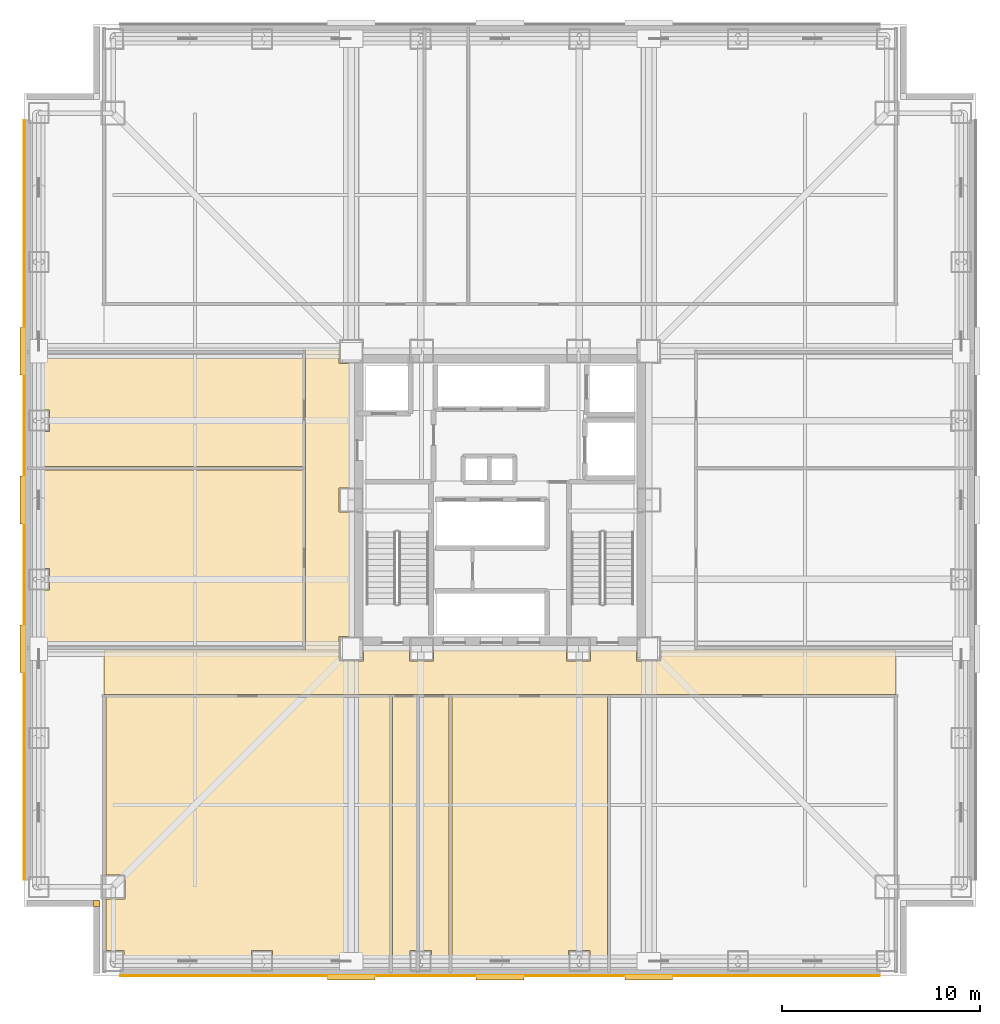
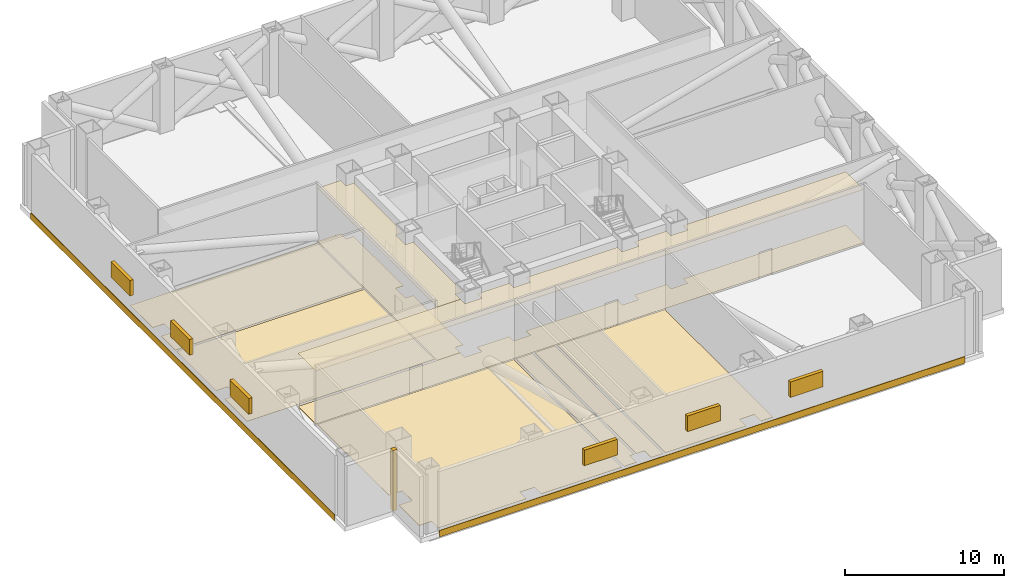
# One storey, part 6 of 8: 13 coverings, 6 shading devices.
"""IFC4 building model written with IfcOpenShell, lengths in metres."""

import ifcopenshell
import ifcopenshell.guid

model = None  # the IFC model being written
_history = None  # IfcOwnerHistory: only IFC2X3 demands one
_inside = {}  # id of a spatial element -> (the spatial element, [elements in it])
_under = {}  # id of a project, library or spatial element -> (it, [spatial elements below it])
_declared = {}  # id of a project -> (the project, [libraries it declares])
_typed = {}  # id of a type object -> (the type object, [elements of that type])
_made_of = {}  # id of a material, layer set ... -> (it, [elements and type objects made of it])


def new_model(schema):
    """Start an empty IFC model of exactly this schema.

    Asked for "IFC4X3", IfcOpenShell would pick the latest addendum, in which some entities
    have other attributes; the version numbers below select the first issue.
    IFC2X3 requires an IfcOwnerHistory on every rooted entity: one is made here for all.
    """
    global model, _history
    if schema == "IFC4X3":
        model = ifcopenshell.file(schema_version=(4, 3, 0, 0))
    else:
        model = ifcopenshell.file(schema=schema)
    _inside.clear()
    _under.clear()
    _declared.clear()
    _typed.clear()
    _made_of.clear()
    _history = None
    if model.schema == "IFC2X3":
        org = make("IfcOrganization", Name="unknown")
        user = make(
            "IfcPersonAndOrganization",
            ThePerson=make("IfcPerson", FamilyName="unknown"),
            TheOrganization=org,
        )
        app = make(
            "IfcApplication",
            ApplicationDeveloper=org,
            Version="unknown",
            ApplicationFullName="unknown",
            ApplicationIdentifier="unknown",
        )
        _history = make(
            "IfcOwnerHistory",
            OwningUser=user,
            OwningApplication=app,
            ChangeAction="ADDED",
            CreationDate=0,
        )
    return model


def make(cls, **values):
    """One entity of the class cls with the attributes given. An attribute that is None is left unset."""
    return model.create_entity(
        cls, **{name: value for name, value in values.items() if value is not None}
    )


def rooted(cls, **values):
    """An entity with a GlobalId (a new one), such as an element, a storey or a relation."""
    return make(cls, GlobalId=ifcopenshell.guid.new(), OwnerHistory=_history, **values)


def si_unit(unit_type, name, prefix=None):
    """IfcSIUnit, for example si_unit("LENGTHUNIT", "METRE", prefix="MILLI")."""
    return make("IfcSIUnit", UnitType=unit_type, Prefix=prefix, Name=name)


def assignment(units):
    """IfcUnitAssignment: the units of a project."""
    return None if units is None else make("IfcUnitAssignment", Units=units)


def point(xyz):
    """IfcCartesianPoint."""
    return None if xyz is None else make("IfcCartesianPoint", Coordinates=xyz)


def direction(xyz):
    """IfcDirection."""
    return None if xyz is None else make("IfcDirection", DirectionRatios=xyz)


def frame(location, z_axis=None, x_axis=None):
    """IfcAxis2Placement3D, a coordinate frame: its origin and axes. An axis left out is left unset."""
    return make(
        "IfcAxis2Placement3D",
        Location=point(location),
        Axis=direction(z_axis),
        RefDirection=direction(x_axis),
    )


def frame_2d(location, x_axis=None):
    """IfcAxis2Placement2D, a coordinate frame in the plane: its origin and x axis."""
    return make(
        "IfcAxis2Placement2D", Location=point(location), RefDirection=direction(x_axis)
    )


def origin():
    """The frame at (0, 0, 0) with its axes left unset."""
    return frame((0.0, 0.0, 0.0))


def origin_2d():
    """The frame at (0, 0) in the plane with its x axis left unset."""
    return frame_2d((0.0, 0.0))


def place(relative_to, where):
    """IfcLocalPlacement: puts the frame where relative to a parent placement (None: the world)."""
    return make(
        "IfcLocalPlacement", PlacementRelTo=relative_to, RelativePlacement=where
    )


def context(
    kind, dimensions, precision=None, world=None, true_north=None, identifier=None
):
    """IfcGeometricRepresentationContext, for example the 3D "Model" context."""
    return make(
        "IfcGeometricRepresentationContext",
        ContextIdentifier=identifier,
        ContextType=kind,
        CoordinateSpaceDimension=dimensions,
        Precision=precision,
        WorldCoordinateSystem=world,
        TrueNorth=true_north,
    )


def subcontext(parent, identifier, kind, view, scale=None):
    """IfcGeometricRepresentationSubContext, for example "Body" below "Model"."""
    return make(
        "IfcGeometricRepresentationSubContext",
        ContextIdentifier=identifier,
        ContextType=kind,
        ParentContext=parent,
        TargetScale=scale,
        TargetView=view,
    )


def project(units=None, contexts=None):
    """IfcProject with its units and contexts."""
    return rooted(
        "IfcProject",
        Name="project",
        RepresentationContexts=contexts,
        UnitsInContext=assignment(units),
    )


def spatial(cls, under=None, at=None, **own):
    """A site, building, storey or space (cls), placed at a placement, below another one or the project."""
    s = rooted(cls, ObjectPlacement=at, **own)
    if under is not None:
        _under.setdefault(under.id(), (under, []))[1].append(s)
    return s


def polyline(points):
    """IfcPolyline through the points."""
    return make("IfcPolyline", Points=[point(p) for p in points])


def profile(cls, at=None, kind="AREA", **sizes):
    """A parametric profile (cls). Its sizes go by their IFC names, for example OverallWidth=200.0."""
    return make(cls, ProfileType=kind, Position=at, **sizes)


def rectangle(**sizes):
    """IfcRectangleProfileDef."""
    return profile("IfcRectangleProfileDef", **sizes)


def outline(outer, holes=None, kind="AREA"):
    """IfcArbitraryClosedProfileDef: a profile drawn as a closed curve; with holes, ...WithVoids."""
    if holes is None:
        return make("IfcArbitraryClosedProfileDef", ProfileType=kind, OuterCurve=outer)
    return make(
        "IfcArbitraryProfileDefWithVoids",
        ProfileType=kind,
        OuterCurve=outer,
        InnerCurves=holes,
    )


def extrude(swept, where, along, depth):
    """IfcExtrudedAreaSolid: the profile swept, set in the frame where, extruded along a direction by depth."""
    return make(
        "IfcExtrudedAreaSolid",
        SweptArea=swept,
        Position=where,
        ExtrudedDirection=direction(along),
        Depth=depth,
    )


def shape(context_of_items, identifier, shape_type, items):
    """IfcShapeRepresentation: the items that make up one representation, for example the "Body"."""
    return make(
        "IfcShapeRepresentation",
        ContextOfItems=context_of_items,
        RepresentationIdentifier=identifier,
        RepresentationType=shape_type,
        Items=items,
    )


def material(Name=None, Category=None):
    """IfcMaterial."""
    return make("IfcMaterial", Name=Name, Category=Category)


def layer(
    of_material, thickness, ventilated=None, Name=None, Category=None, Priority=None
):
    """IfcMaterialLayer: one layer of a wall or slab, of a material (None: an air gap)."""
    return make(
        "IfcMaterialLayer",
        Material=of_material,
        LayerThickness=thickness,
        IsVentilated=ventilated,
        Name=Name,
        Category=Category,
        Priority=Priority,
    )


def layer_set(layers, Name=None):
    """IfcMaterialLayerSet."""
    return make("IfcMaterialLayerSet", MaterialLayers=layers, LayerSetName=Name)


def made_of(thing, what):
    """Note that an element or type object is made of a material, layer set ...; save() writes the relation."""
    if what is not None:
        _made_of.setdefault(what.id(), (what, []))[1].append(thing)
    return thing


def type_object(cls, material=None, **own):
    """A type object (cls), such as IfcWallType, which elements share."""
    return made_of(rooted(cls, **own), material)


def element(
    cls,
    number,
    at=None,
    inside=None,
    cuts=None,
    type_object=None,
    material=None,
    context=None,
    identifier="Body",
    shape_type=None,
    held_by="IfcProductDefinitionShape",
    body=None,
    shapes=None,
    **own,
):
    """One element of the class cls, such as IfcWall. Its Tag is "e" and its number.

    at: its placement. inside: the storey or other place that contains it. cuts: it is an
    opening in that element (IfcRelVoidsElement). A single representation is given by context,
    identifier, shape_type and body (its items); several are given by shapes. held_by: the class
    of the entity that holds the representations. save() writes the other relations.
    """
    e = rooted(cls, Tag="e%d" % number, ObjectPlacement=at, **own)
    if body is not None:
        shapes = [shape(context, identifier, shape_type, body)]
    if shapes is not None:
        e.Representation = make(held_by, Representations=shapes)
    if inside is not None:
        _inside.setdefault(inside.id(), (inside, []))[1].append(e)
    if cuts is not None:
        rooted(
            "IfcRelVoidsElement", RelatingBuildingElement=cuts, RelatedOpeningElement=e
        )
    if type_object is not None:
        _typed.setdefault(type_object.id(), (type_object, []))[1].append(e)
    return made_of(e, material)


def aggregate(whole, parts):
    """IfcRelAggregates: a whole, such as a stair, and the parts it consists of."""
    return rooted("IfcRelAggregates", RelatingObject=whole, RelatedObjects=parts)


def save(model, path):
    """Write the relations noted so far, then the file.

    IfcRelAggregates (storeys below a building ...), IfcRelContainedInSpatialStructure (elements
    in a storey), IfcRelDefinesByType, IfcRelAssociatesMaterial and IfcRelDeclares: one each for
    every whole, place, type object, material and project.
    """
    for whole, parts in _under.values():
        aggregate(whole, parts)
    for where, things in _inside.values():
        rooted(
            "IfcRelContainedInSpatialStructure",
            RelatedElements=things,
            RelatingStructure=where,
        )
    for kind, things in _typed.values():
        rooted("IfcRelDefinesByType", RelatedObjects=things, RelatingType=kind)
    for what, things in _made_of.values():
        rooted("IfcRelAssociatesMaterial", RelatedObjects=things, RelatingMaterial=what)
    for by, libraries in _declared.values():
        rooted("IfcRelDeclares", RelatingContext=by, RelatedDefinitions=libraries)
    model.write(path)


model = new_model("IFC4")

# Units and contexts
model_context = context("Model", 3, precision=1e-05, world=origin(), true_north=direction((0.0, 1.0)))
body_context = subcontext(model_context, "Body", "Model", "MODEL_VIEW")
ifc_project = project(units=[si_unit("LENGTHUNIT", "METRE"), si_unit("AREAUNIT", "SQUARE_METRE"), si_unit("VOLUMEUNIT", "CUBIC_METRE"), si_unit("PLANEANGLEUNIT", "RADIAN"), si_unit("MASSUNIT", "GRAM", prefix="KILO")], contexts=[model_context])

# Site, building, storey
site_placement = place(None, origin())
site = spatial("IfcSite", under=ifc_project, at=site_placement, CompositionType="ELEMENT")
building_placement = place(site_placement, origin())
building = spatial("IfcBuilding", under=site, at=building_placement, Name="Trevonay Congress Spire", CompositionType="ELEMENT")
storey_placement = place(building_placement, frame((0.0, 0.0, 83.0)))
storey = spatial("IfcBuildingStorey", under=building, at=storey_placement, Name="L21", CompositionType="ELEMENT", Elevation=83.0)

# Coverings
ifc_material_1 = material(Name="Acoustic Mineral Fibre Board", Category="gypsum")
ifc_layer_1 = layer(ifc_material_1, 0.02490234375, Name="Acoustic Mineral Fibre Board")
ifc_layer_set_1 = layer_set([ifc_layer_1], Name="Acoustic Mineral Fibre Board")
covering_type_1 = type_object("IfcCoveringType", Name="COV-CEIL-ACOUSTIC", PredefinedType="CEILING", material=ifc_layer_set_1)
covering_1_placement = place(storey_placement, frame((0.0, 0.0, 4.10009765625)))
element("IfcCovering", 1, at=covering_1_placement, inside=storey, type_object=covering_type_1, Name="L21 Plant and Refuge Corridor South acoustic suspended ceiling", PredefinedType="CEILING", context=body_context, shape_type="SweptSolid", body=[
    extrude(outline(polyline([(19.949951171875, -7.550048828125), (19.949951171875, -9.800048828125), (-19.949951171875, -9.800048828125), (-19.949951171875, -7.550048828125), (-8.110107421875, -7.550048828125), (-8.110107421875, -8.110107421875), (-6.889892578125, -8.110107421875), (-6.889892578125, -7.550048828125), (-4.56005859375, -7.550048828125), (-4.56005859375, -8.110107421875), (-3.340087890625, -8.110107421875), (-3.340087890625, -7.550048828125), (3.340087890625, -7.550048828125), (3.340087890625, -8.110107421875), (4.56005859375, -8.110107421875), (4.56005859375, -7.550048828125), (6.889892578125, -7.550048828125), (6.889892578125, -8.110107421875), (8.110107421875, -8.110107421875), (8.110107421875, -7.550048828125), (19.949951171875, -7.550048828125)])), origin(), (0.0, 0.0, 1.0), 0.02490234375),
])
covering_2_placement = place(storey_placement, frame((0.0, 0.0, 4.10009765625)))
element("IfcCovering", 2, at=covering_2_placement, inside=storey, type_object=covering_type_1, Name="L21 Plant and Refuge Corridor West acoustic suspended ceiling", PredefinedType="CEILING", context=body_context, shape_type="SweptSolid", body=[
    extrude(outline(polyline([(-9.800048828125, 7.550048828125), (-8.110107421875, 7.550048828125), (-8.110107421875, 6.889892578125), (-7.550048828125, 6.889892578125), (-7.550048828125, 0.610107421875), (-8.110107421875, 0.610107421875), (-8.110107421875, -0.610107421875), (-7.550048828125, -0.610107421875), (-7.550048828125, -6.889892578125), (-8.110107421875, -6.889892578125), (-8.110107421875, -7.550048828125), (-9.800048828125, -7.550048828125), (-9.800048828125, 7.550048828125)])), origin(), (0.0, 0.0, 1.0), 0.02490234375),
])
ifc_material_2 = material(Name="Polished Granite Floor Tile", Category="masonry")
ifc_layer_2 = layer(ifc_material_2, 0.02001953125, Name="Polished Granite Floor Tile")
ifc_layer_set_2 = layer_set([ifc_layer_2], Name="Polished Granite Floor Tile")
covering_type_2 = type_object("IfcCoveringType", Name="COV-FLOOR-STONE", PredefinedType="FLOORING", material=ifc_layer_set_2)
covering_3_placement = place(storey_placement, origin())
element("IfcCovering", 3, at=covering_3_placement, inside=storey, type_object=covering_type_2, Name="L21 Plant and Refuge Corridor South floor finish", PredefinedType="FLOORING", context=body_context, shape_type="SweptSolid", body=[
    extrude(outline(polyline([(19.949951171875, -7.550048828125), (19.949951171875, -9.800048828125), (-19.949951171875, -9.800048828125), (-19.949951171875, -7.550048828125), (-8.110107421875, -7.550048828125), (-8.110107421875, -8.110107421875), (-6.889892578125, -8.110107421875), (-6.889892578125, -7.550048828125), (-4.56005859375, -7.550048828125), (-4.56005859375, -8.110107421875), (-3.340087890625, -8.110107421875), (-3.340087890625, -7.550048828125), (3.340087890625, -7.550048828125), (3.340087890625, -8.110107421875), (4.56005859375, -8.110107421875), (4.56005859375, -7.550048828125), (6.889892578125, -7.550048828125), (6.889892578125, -8.110107421875), (8.110107421875, -8.110107421875), (8.110107421875, -7.550048828125), (19.949951171875, -7.550048828125)])), origin(), (0.0, 0.0, 1.0), 0.02001953125),
])
covering_4_placement = place(storey_placement, origin())
element("IfcCovering", 4, at=covering_4_placement, inside=storey, type_object=covering_type_2, Name="L21 Plant and Refuge Corridor West floor finish", PredefinedType="FLOORING", context=body_context, shape_type="SweptSolid", body=[
    extrude(outline(polyline([(-9.800048828125, 7.550048828125), (-8.110107421875, 7.550048828125), (-8.110107421875, 6.889892578125), (-7.550048828125, 6.889892578125), (-7.550048828125, 0.610107421875), (-8.110107421875, 0.610107421875), (-8.110107421875, -0.610107421875), (-7.550048828125, -0.610107421875), (-7.550048828125, -6.889892578125), (-8.110107421875, -6.889892578125), (-8.110107421875, -7.550048828125), (-9.800048828125, -7.550048828125), (-9.800048828125, 7.550048828125)])), origin(), (0.0, 0.0, 1.0), 0.02001953125),
])
covering_5_placement = place(storey_placement, origin())
element("IfcCovering", 5, at=covering_5_placement, inside=storey, type_object=covering_type_2, Name="L21 Chiller and Heat-Pump Plant floor finish", PredefinedType="FLOORING", context=body_context, shape_type="SweptSolid", body=[
    extrude(outline(polyline([(-18.965087890625, -23.550048828125), (-18.965087890625, -22.715087890625), (-19.8701171875, -22.715087890625), (-19.8701171875, -20.110107421875), (-18.889892578125, -20.110107421875), (-18.889892578125, -18.889892578125), (-19.8701171875, -18.889892578125), (-19.8701171875, -9.8798828125), (-5.580078125, -9.8798828125), (-5.580078125, -23.550048828125), (-11.465087890625, -23.550048828125), (-11.465087890625, -22.715087890625), (-12.534912109375, -22.715087890625), (-12.534912109375, -23.550048828125), (-18.965087890625, -23.550048828125)])), origin(), (0.0, 0.0, 1.0), 0.02001953125),
])
covering_6_placement = place(storey_placement, origin())
element("IfcCovering", 6, at=covering_6_placement, inside=storey, type_object=covering_type_2, Name="L21 Accessible Refuge WC floor finish", PredefinedType="FLOORING", context=body_context, shape_type="SweptSolid", body=[
    extrude(outline(polyline([(-5.419921875, -23.550048828125), (-5.419921875, -9.8798828125), (-4.219970703125, -9.8798828125), (-4.219970703125, -22.715087890625), (-4.534912109375, -22.715087890625), (-4.534912109375, -23.550048828125), (-5.419921875, -23.550048828125)])), origin(), (0.0, 0.0, 1.0), 0.02001953125),
])
covering_7_placement = place(storey_placement, origin())
element("IfcCovering", 7, at=covering_7_placement, inside=storey, type_object=covering_type_2, Name="L21 Floor Supplies and Copy Room floor finish", PredefinedType="FLOORING", context=body_context, shape_type="SweptSolid", body=[
    extrude(outline(polyline([(-4.06005859375, -9.8798828125), (-2.580078125, -9.8798828125), (-2.580078125, -23.550048828125), (-3.465087890625, -23.550048828125), (-3.465087890625, -22.715087890625), (-4.06005859375, -22.715087890625), (-4.06005859375, -9.8798828125)])), origin(), (0.0, 0.0, 1.0), 0.02001953125),
])
covering_8_placement = place(storey_placement, origin())
element("IfcCovering", 8, at=covering_8_placement, inside=storey, type_object=covering_type_2, Name="L21 Primary AHU Supply Plant floor finish", PredefinedType="FLOORING", context=body_context, shape_type="SweptSolid", body=[
    extrude(outline(polyline([(-2.419921875, -23.550048828125), (-2.419921875, -9.8798828125), (5.419921875, -9.8798828125), (5.419921875, -23.550048828125), (4.534912109375, -23.550048828125), (4.534912109375, -22.715087890625), (3.465087890625, -22.715087890625), (3.465087890625, -23.550048828125), (-2.419921875, -23.550048828125)])), origin(), (0.0, 0.0, 1.0), 0.02001953125),
])
covering_9_placement = place(storey_placement, origin())
element("IfcCovering", 9, at=covering_9_placement, inside=storey, type_object=covering_type_2, Name="L21 Refuge Area West floor finish", PredefinedType="FLOORING", context=body_context, shape_type="SweptSolid", body=[
    extrude(outline(polyline([(-23.550048828125, 1.52001953125), (-9.8798828125, 1.52001953125), (-9.8798828125, -7.3701171875), (-23.550048828125, -7.3701171875), (-23.550048828125, -4.534912109375), (-22.715087890625, -4.534912109375), (-22.715087890625, -3.465087890625), (-23.550048828125, -3.465087890625), (-23.550048828125, 1.52001953125)])), origin(), (0.0, 0.0, 1.0), 0.02001953125),
])
covering_10_placement = place(storey_placement, origin())
element("IfcCovering", 10, at=covering_10_placement, inside=storey, type_object=covering_type_2, Name="L21 Pressurization Fan Room West floor finish", PredefinedType="FLOORING", context=body_context, shape_type="SweptSolid", body=[
    extrude(outline(polyline([(-23.550048828125, 7.3701171875), (-9.8798828125, 7.3701171875), (-9.8798828125, 1.679931640625), (-23.550048828125, 1.679931640625), (-23.550048828125, 3.465087890625), (-22.715087890625, 3.465087890625), (-22.715087890625, 4.534912109375), (-23.550048828125, 4.534912109375), (-23.550048828125, 7.3701171875)])), origin(), (0.0, 0.0, 1.0), 0.02001953125),
])
ifc_material_3 = material(Name="Pale Anodised Aluminium EN AW-6063-T6", Category="aluminium")
ifc_layer_3 = layer(ifc_material_3, 0.0400390625, Name="Pale Anodised Aluminium EN AW-6063-T6")
ifc_layer_set_3 = layer_set([ifc_layer_3], Name="Pale Anodised Aluminium EN AW-6063-T6")
covering_type_3 = type_object("IfcCoveringType", Name="COV-SPANDREL-PALE-METAL", PredefinedType="CLADDING", material=ifc_layer_set_3)
for number, where, z_axis, x_axis, name in (
    (11, (-19.14990234375, -23.97998046875, -0.35009765625), (0.0, 0.0, 1.0), (1.0, 0.0, 0.0), "L21 S pale-metal belt-truss spandrel cladding"),
    (12, (-23.97998046875, -19.14990234375, -0.35009765625), (0.0, 0.0, 1.0), (0.0, 1.0, 0.0), "L21 W pale-metal belt-truss spandrel cladding"),
):
    element("IfcCovering", number, at=place(storey_placement, frame(where, z_axis=z_axis, x_axis=x_axis)), inside=storey, type_object=covering_type_3, Name=name, PredefinedType="CLADDING", context=body_context, shape_type="SweptSolid", body=[
        extrude(rectangle(XDim=38.2998046875, YDim=0.0400390625, at=frame_2d((19.14990234375, 0.0))), origin(), (0.0, 0.0, 1.0), 0.5),
    ])
covering_11_placement = place(storey_placement, origin())
element("IfcCovering", 13, at=covering_11_placement, inside=storey, type_object=covering_type_3, Name="L21 SW re-entrant notch corner closure trim", PredefinedType="CLADDING", context=body_context, shape_type="SweptSolid", body=[
    extrude(outline(polyline([(-20.5, -20.5), (-20.199951171875, -20.5), (-20.199951171875, -20.199951171875), (-20.5, -20.199951171875), (-20.5, -20.5)])), origin(), (0.0, 0.0, 1.0), 4.64990234375),
])

# Shading devices
shading_device_type = type_object("IfcShadingDeviceType", Name="SHD-LOUVRE-PLANT-ALUM", PredefinedType="USERDEFINED", material=ifc_material_3)
for number, where, z_axis, x_axis, name in (
    (14, (-7.5, -24.070068359375, 1.60009765625), (0.0, 0.0, 1.0), (1.0, 0.0, 0.0), "L21 S acoustic plant intake louvre 1"),
    (15, (0.0, -24.070068359375, 1.60009765625), (0.0, 0.0, 1.0), (1.0, 0.0, 0.0), "L21 S acoustic plant intake louvre 2"),
    (16, (7.5, -24.070068359375, 1.60009765625), (0.0, 0.0, 1.0), (1.0, 0.0, 0.0), "L21 S acoustic plant intake louvre 3"),
    (17, (-24.070068359375, -7.5, 1.60009765625), (0.0, 0.0, 1.0), (0.0, 1.0, 0.0), "L21 W acoustic plant intake louvre 1"),
    (18, (-24.070068359375, 0.0, 1.60009765625), (0.0, 0.0, 1.0), (0.0, 1.0, 0.0), "L21 W acoustic plant intake louvre 2"),
    (19, (-24.070068359375, 7.5, 1.60009765625), (0.0, 0.0, 1.0), (0.0, 1.0, 0.0), "L21 W acoustic plant intake louvre 3"),
):
    element("IfcShadingDevice", number, at=place(storey_placement, frame(where, z_axis=z_axis, x_axis=x_axis)), inside=storey, type_object=shading_device_type, Name=name, ObjectType="LOUVRE", PredefinedType="USERDEFINED", context=body_context, shape_type="SweptSolid", body=[
        extrude(rectangle(XDim=2.39990234375, YDim=0.25, at=origin_2d()), origin(), (0.0, 0.0, 1.0), 1.199951171875),
    ])

save(model, "model.ifc")
